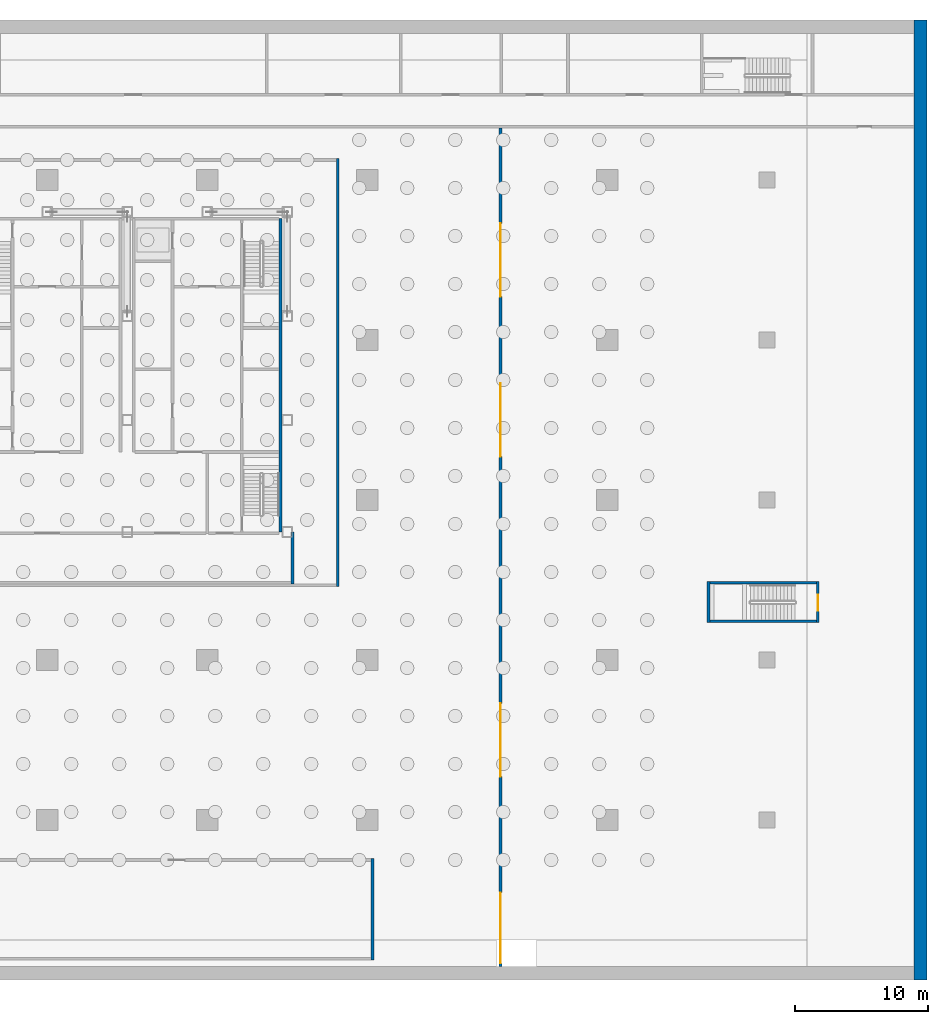
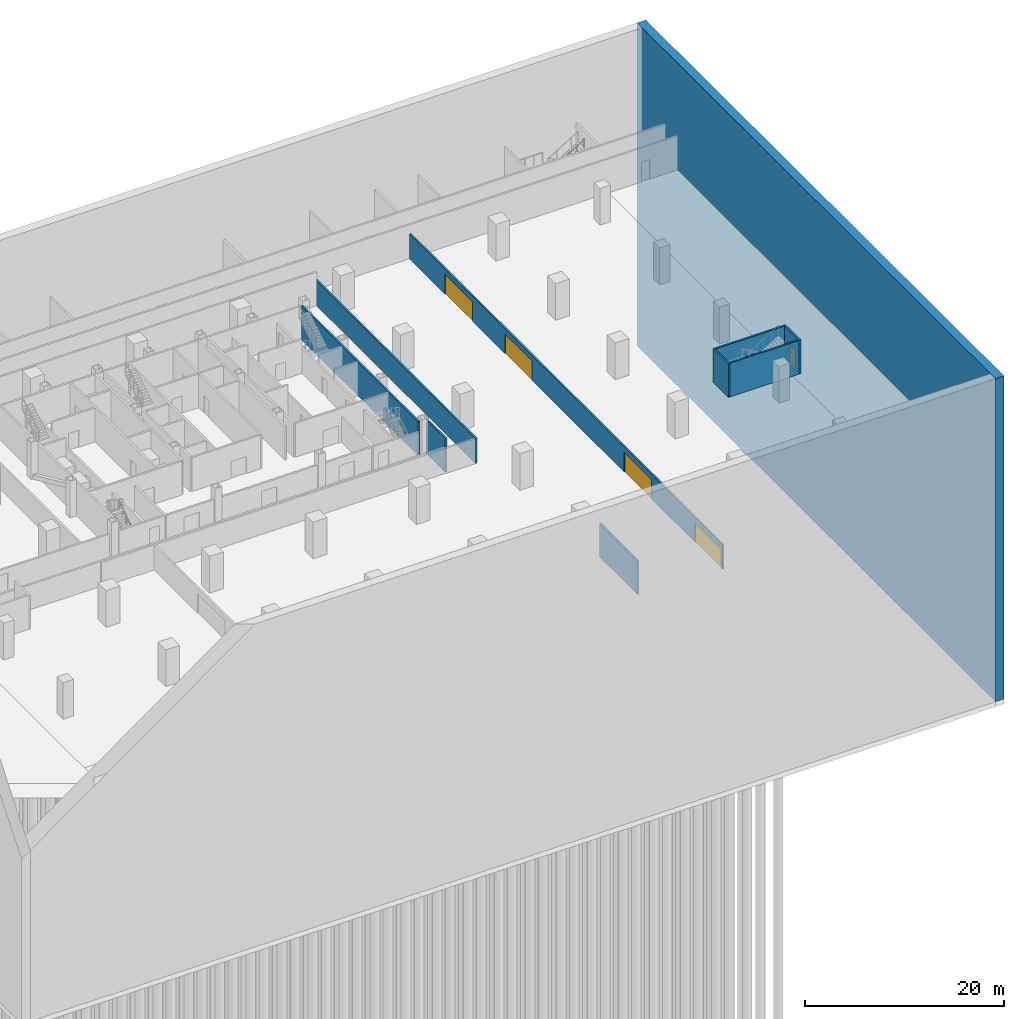
# One storey, part 10 of 18: 10 walls, 5 doors, 5 openings.
"""IFC4 building model written with IfcOpenShell, lengths in metres."""

from ifc_helpers import new_model, si_unit, direction, frame, frame_2d, origin, place, context, subcontext, project, spatial, rectangle, extrude, material, layer, layer_set, type_object, element, fill, save


model = new_model("IFC4")

# Units and contexts
model_context = context("Model", 3, precision=1e-05, world=origin(), true_north=direction((0.0, 1.0)))
body_context = subcontext(model_context, "Body", "Model", "MODEL_VIEW")
ifc_project = project(units=[si_unit("LENGTHUNIT", "METRE"), si_unit("AREAUNIT", "SQUARE_METRE"), si_unit("VOLUMEUNIT", "CUBIC_METRE"), si_unit("PLANEANGLEUNIT", "RADIAN"), si_unit("MASSUNIT", "GRAM", prefix="KILO")], contexts=[model_context])

# Site, building, storey
site_placement = place(None, origin())
site = spatial("IfcSite", under=ifc_project, at=site_placement, CompositionType="ELEMENT")
building_placement = place(site_placement, origin())
building = spatial("IfcBuilding", under=site, at=building_placement, Name="Sorahane Residences", CompositionType="ELEMENT")
storey_placement = place(building_placement, frame((0.0, 0.0, -13.5)))
storey = spatial("IfcBuildingStorey", under=building, at=storey_placement, Name="B3", CompositionType="ELEMENT", Elevation=-13.5)

# Walls
ifc_material_1 = material(Name="Concrete C30", Category="concrete")
ifc_layer_1 = layer(ifc_material_1, 0.199951171875)
ifc_layer_set_1 = layer_set([ifc_layer_1], Name="Core face wall 200 EI 180")
wall_type_1 = type_object("IfcWallType", Name="Core face wall 200 EI 180", PredefinedType="SOLIDWALL", material=ifc_layer_set_1)
wall_1_placement = place(storey_placement, frame((41.5, 21.60009765625, 0.0), z_axis=(0.0, 0.0, 1.0), x_axis=(0.0, 1.0, 0.0)))
element("IfcWall", 1, at=wall_1_placement, inside=storey, type_object=wall_type_1, Name="B3 core face wall", PredefinedType="SOLIDWALL", context=body_context, shape_type="SweptSolid", body=[
    extrude(rectangle(XDim=23.5, YDim=0.199951171875, at=frame_2d((11.75, 0.0))), origin(), (0.0, 0.0, 1.0), 4.14990234375),
])
ifc_material_2 = material(Name="Concrete blockwork C20 wall", Category="masonry")
ifc_layer_2 = layer(ifc_material_2, 0.199951171875)
ifc_layer_set_2 = layer_set([ifc_layer_2], Name="Corridor wall 200 EI 120")
wall_type_2 = type_object("IfcWallType", Name="Corridor wall 200 EI 120", PredefinedType="SOLIDWALL", material=ifc_layer_set_2)
wall_2_placement = place(storey_placement, frame((42.39990234375, 17.699951171875, 0.0), z_axis=(0.0, 0.0, 1.0), x_axis=(0.0, 1.0, 0.0)))
element("IfcWall", 2, at=wall_2_placement, inside=storey, type_object=wall_type_2, Name="B3 corridor wall", PredefinedType="SOLIDWALL", context=body_context, shape_type="SweptSolid", body=[
    extrude(rectangle(XDim=3.900146484375, YDim=0.199951171875, at=frame_2d((1.9501953125, 0.0))), origin(), (0.0, 0.0, 1.0), 4.14990234375),
])
ifc_material_3 = material(Name="Concrete C40", Category="concrete")
ifc_layer_3 = layer(ifc_material_3, 1.0)
ifc_layer_set_3 = layer_set([ifc_layer_3], Name="Diaphragm wall 1000 mm Concrete C40")
wall_type_3 = type_object("IfcWallType", Name="Diaphragm wall 1000 mm Concrete C40", PredefinedType="SOLIDWALL", material=ifc_layer_set_3)
wall_3_placement = place(storey_placement, frame((89.5, -12.0, -26.5), z_axis=(0.0, 0.0, 1.0), x_axis=(0.0, 1.0, 0.0)))
element("IfcWall", 3, at=wall_3_placement, inside=storey, type_object=wall_type_3, Name="Diaphragm wall east", PredefinedType="SOLIDWALL", context=body_context, shape_type="SweptSolid", body=[
    extrude(rectangle(XDim=72.0, YDim=1.0, at=frame_2d((36.0, 0.0))), origin(), (0.0, 0.0, 1.0), 39.639892578125),
])
ifc_material_4 = material(Name="Concrete blockwork C20 wall", Category="masonry")
ifc_layer_4 = layer(ifc_material_4, 0.199951171875)
ifc_layer_set_4 = layer_set([ifc_layer_4], Name="Fire wall 200 EI 120")
wall_type_4 = type_object("IfcWallType", Name="Fire wall 200 EI 120", PredefinedType="SOLIDWALL", material=ifc_layer_set_4)
wall_4_placement = place(storey_placement, frame((45.800048828125, 17.5, 0.0), z_axis=(0.0, 0.0, 1.0), x_axis=(0.0, 1.0, 0.0)))
element("IfcWall", 4, at=wall_4_placement, inside=storey, type_object=wall_type_4, Name="B3 fire wall", PredefinedType="SOLIDWALL", context=body_context, shape_type="SweptSolid", body=[
    extrude(rectangle(XDim=32.10009765625, YDim=0.199951171875, at=frame_2d((16.050048828125, 0.0))), origin(), (0.0, 0.0, 1.0), 3.050048828125),
])
wall_5_placement = place(storey_placement, frame((48.39990234375, -10.5, 0.0), z_axis=(0.0, 0.0, 1.0), x_axis=(0.0, 1.0, 0.0)))
element("IfcWall", 5, at=wall_5_placement, inside=storey, type_object=wall_type_4, Name="B3 fire wall", PredefinedType="SOLIDWALL", context=body_context, shape_type="SweptSolid", body=[
    extrude(rectangle(XDim=7.60009765625, YDim=0.199951171875, at=frame_2d((3.800048828125, 0.0))), origin(), (0.0, 0.0, 1.0), 4.14990234375),
])

# Wall, openings, doors
wall_6_placement = place(storey_placement, frame((58.0, -11.0, 0.0), z_axis=(0.0, 0.0, 1.0), x_axis=(0.0, 1.0, 0.0)))
wall_6 = element("IfcWall", 6, at=wall_6_placement, inside=storey, type_object=wall_type_4, Name="B3 fire wall", PredefinedType="SOLIDWALL", context=body_context, shape_type="SweptSolid", body=[
    extrude(rectangle(XDim=62.89990234375, YDim=0.199951171875, at=frame_2d((31.449951171875, 0.0))), origin(), (0.0, 0.0, 1.0), 3.050048828125),
])
opening_1_placement = place(wall_6_placement, frame((0.25, 0.0, 0.0)))
opening_1 = element("IfcOpeningElement", 7, at=opening_1_placement, cuts=wall_6, Name="Opening B3-19", PredefinedType="OPENING", context=body_context, shape_type="SweptSolid", body=[
    extrude(rectangle(XDim=5.300048828125, YDim=2.39990234375, at=frame_2d((2.64990234375, 1.199951171875))), frame((0.0, 0.10986328125, 0.0), z_axis=(0.0, -1.0, 0.0), x_axis=(1.0, 0.0, 0.0)), (0.0, 0.0, 1.0), 0.219970703125),
])
opening_2_placement = place(wall_6_placement, frame((14.25, 0.0, 0.0)))
opening_2 = element("IfcOpeningElement", 8, at=opening_2_placement, cuts=wall_6, Name="Opening B3-20", PredefinedType="OPENING", context=body_context, shape_type="SweptSolid", body=[
    extrude(rectangle(XDim=5.5, YDim=2.39990234375, at=frame_2d((2.75, 1.199951171875))), frame((0.0, 0.10986328125, 0.0), z_axis=(0.0, -1.0, 0.0), x_axis=(1.0, 0.0, 0.0)), (0.0, 0.0, 1.0), 0.219970703125),
])
opening_3_placement = place(wall_6_placement, frame((38.25, 0.0, 0.0)))
opening_3 = element("IfcOpeningElement", 9, at=opening_3_placement, cuts=wall_6, Name="Opening B3-21", PredefinedType="OPENING", context=body_context, shape_type="SweptSolid", body=[
    extrude(rectangle(XDim=5.5, YDim=2.39990234375, at=frame_2d((2.75, 1.199951171875))), frame((0.0, 0.10986328125, 0.0), z_axis=(0.0, -1.0, 0.0), x_axis=(1.0, 0.0, 0.0)), (0.0, 0.0, 1.0), 0.219970703125),
])
opening_4_placement = place(wall_6_placement, frame((50.25, 0.0, 0.0)))
opening_4 = element("IfcOpeningElement", 10, at=opening_4_placement, cuts=wall_6, Name="Opening B3-22", PredefinedType="OPENING", context=body_context, shape_type="SweptSolid", body=[
    extrude(rectangle(XDim=5.5, YDim=2.39990234375, at=frame_2d((2.75, 1.199951171875))), frame((0.0, 0.10986328125, 0.0), z_axis=(0.0, -1.0, 0.0), x_axis=(1.0, 0.0, 0.0)), (0.0, 0.0, 1.0), 0.219970703125),
])
ifc_material_5 = material(Name="Steel", Category="steel")
door_type_1 = type_object("IfcDoorType", Name="Fire door 5300x2400 FD60", OperationType="NOTDEFINED", PredefinedType="DOOR", material=ifc_material_5)
door_1_placement = place(opening_1_placement, frame((5.300048828125, 0.0, 0.0), z_axis=(0.0, 0.0, 1.0), x_axis=(-1.0, 0.0, 0.0)))
door_1 = element("IfcDoor", 11, at=door_1_placement, inside=storey, type_object=door_type_1, Name="Fire door B3-19", OperationType="SINGLE_SWING_RIGHT", OverallHeight=2.39990234375, OverallWidth=5.300048828125, PredefinedType="DOOR", context=body_context, shape_type="SweptSolid", body=[
    extrude(rectangle(XDim=5.300048828125, YDim=2.39990234375, at=frame_2d((2.64990234375, 1.199951171875))), frame((0.0, 0.02490234375, 0.0), z_axis=(0.0, -1.0, 0.0), x_axis=(1.0, 0.0, 0.0)), (0.0, 0.0, 1.0), 0.050048828125),
])
fill(opening_1, door_1)
ifc_material_6 = material(Name="Steel", Category="steel")
door_type_2 = type_object("IfcDoorType", Name="Fire door 5500x2400 FD60", OperationType="NOTDEFINED", PredefinedType="DOOR", material=ifc_material_6)
door_2_placement = place(opening_2_placement, frame((5.5, 0.0, 0.0), z_axis=(0.0, 0.0, 1.0), x_axis=(-1.0, 0.0, 0.0)))
door_2 = element("IfcDoor", 12, at=door_2_placement, inside=storey, type_object=door_type_2, Name="Fire door B3-20", OperationType="SINGLE_SWING_LEFT", OverallHeight=2.39990234375, OverallWidth=5.5, PredefinedType="DOOR", context=body_context, shape_type="SweptSolid", body=[
    extrude(rectangle(XDim=5.5, YDim=2.39990234375, at=frame_2d((2.75, 1.199951171875))), frame((0.0, 0.02490234375, 0.0), z_axis=(0.0, -1.0, 0.0), x_axis=(1.0, 0.0, 0.0)), (0.0, 0.0, 1.0), 0.050048828125),
])
fill(opening_2, door_2)
door_3_placement = place(opening_3_placement, origin())
door_3 = element("IfcDoor", 13, at=door_3_placement, inside=storey, type_object=door_type_2, Name="Fire door B3-21", OperationType="SINGLE_SWING_LEFT", OverallHeight=2.39990234375, OverallWidth=5.5, PredefinedType="DOOR", context=body_context, shape_type="SweptSolid", body=[
    extrude(rectangle(XDim=5.5, YDim=2.39990234375, at=frame_2d((2.75, 1.199951171875))), frame((0.0, 0.02490234375, 0.0), z_axis=(0.0, -1.0, 0.0), x_axis=(1.0, 0.0, 0.0)), (0.0, 0.0, 1.0), 0.050048828125),
])
fill(opening_3, door_3)
door_4_placement = place(opening_4_placement, origin())
door_4 = element("IfcDoor", 14, at=door_4_placement, inside=storey, type_object=door_type_2, Name="Fire door B3-22", OperationType="SINGLE_SWING_RIGHT", OverallHeight=2.39990234375, OverallWidth=5.5, PredefinedType="DOOR", context=body_context, shape_type="SweptSolid", body=[
    extrude(rectangle(XDim=5.5, YDim=2.39990234375, at=frame_2d((2.75, 1.199951171875))), frame((0.0, 0.02490234375, 0.0), z_axis=(0.0, -1.0, 0.0), x_axis=(1.0, 0.0, 0.0)), (0.0, 0.0, 1.0), 0.050048828125),
])
fill(opening_4, door_4)

# Wall
wall_7_placement = place(storey_placement, frame((73.60009765625, 14.800048828125, 0.0), z_axis=(0.0, 0.0, 1.0), x_axis=(0.0, 1.0, 0.0)))
element("IfcWall", 15, at=wall_7_placement, inside=storey, type_object=wall_type_4, Name="B3 fire wall", PredefinedType="SOLIDWALL", context=body_context, shape_type="SweptSolid", body=[
    extrude(rectangle(XDim=3.099853515625, YDim=0.199951171875, at=frame_2d((1.5498046875, 0.0))), origin(), (0.0, 0.0, 1.0), 4.14990234375),
])

# Wall, opening, door
wall_8_placement = place(storey_placement, frame((81.800048828125, 14.800048828125, 0.0), z_axis=(0.0, 0.0, 1.0), x_axis=(0.0, 1.0, 0.0)))
wall_8 = element("IfcWall", 16, at=wall_8_placement, inside=storey, type_object=wall_type_4, Name="B3 fire wall", PredefinedType="SOLIDWALL", context=body_context, shape_type="SweptSolid", body=[
    extrude(rectangle(XDim=3.099853515625, YDim=0.199951171875, at=frame_2d((1.5498046875, 0.0))), origin(), (0.0, 0.0, 1.0), 4.14990234375),
])
opening_5_placement = place(wall_8_placement, frame((0.89990234375, 0.0, 0.0)))
opening_5 = element("IfcOpeningElement", 17, at=opening_5_placement, cuts=wall_8, Name="Opening B3-12", PredefinedType="OPENING", context=body_context, shape_type="SweptSolid", body=[
    extrude(rectangle(XDim=1.199951171875, YDim=2.39990234375, at=frame_2d((0.60009765625, 1.199951171875))), frame((0.0, 0.10986328125, 0.0), z_axis=(0.0, -1.0, 0.0), x_axis=(1.0, 0.0, 0.0)), (0.0, 0.0, 1.0), 0.219970703125),
])
ifc_material_7 = material(Name="Steel", Category="steel")
door_type_3 = type_object("IfcDoorType", Name="Stair door 1200x2400 FD60", OperationType="NOTDEFINED", PredefinedType="DOOR", material=ifc_material_7)
door_5_placement = place(opening_5_placement, frame((1.199951171875, 0.0, 0.0), z_axis=(0.0, 0.0, 1.0), x_axis=(-1.0, 0.0, 0.0)))
door_5 = element("IfcDoor", 18, at=door_5_placement, inside=storey, type_object=door_type_3, Name="Stair door B3-12", OperationType="SINGLE_SWING_LEFT", OverallHeight=2.39990234375, OverallWidth=1.199951171875, PredefinedType="DOOR", context=body_context, shape_type="SweptSolid", body=[
    extrude(rectangle(XDim=1.199951171875, YDim=2.39990234375, at=frame_2d((0.60009765625, 1.199951171875))), frame((0.0, 0.02490234375, 0.0), z_axis=(0.0, -1.0, 0.0), x_axis=(1.0, 0.0, 0.0)), (0.0, 0.0, 1.0), 0.050048828125),
])
fill(opening_5, door_5)

# Walls
ifc_material_8 = material(Name="Concrete C30", Category="concrete")
ifc_layer_5 = layer(ifc_material_8, 0.199951171875)
ifc_layer_set_5 = layer_set([ifc_layer_5], Name="Stair enclosure wall 200 EI 120")
wall_type_5 = type_object("IfcWallType", Name="Stair enclosure wall 200 EI 120", PredefinedType="SOLIDWALL", material=ifc_layer_set_5)
for number, where, z_axis, x_axis, name in (
    (19, (73.699951171875, 14.89990234375, 0.0), (0.0, 0.0, 1.0), (1.0, 0.0, 0.0), "B3 fire wall"),
    (20, (73.699951171875, 17.800048828125, 0.0), (0.0, 0.0, 1.0), (1.0, 0.0, 0.0), "B3 fire wall"),
):
    element("IfcWall", number, at=place(storey_placement, frame(where, z_axis=z_axis, x_axis=x_axis)), inside=storey, type_object=wall_type_5, Name=name, PredefinedType="SOLIDWALL", context=body_context, shape_type="SweptSolid", body=[
        extrude(rectangle(XDim=8.0, YDim=0.199951171875, at=frame_2d((4.0, 0.0))), origin(), (0.0, 0.0, 1.0), 4.14990234375),
    ])

save(model, "model.ifc")
